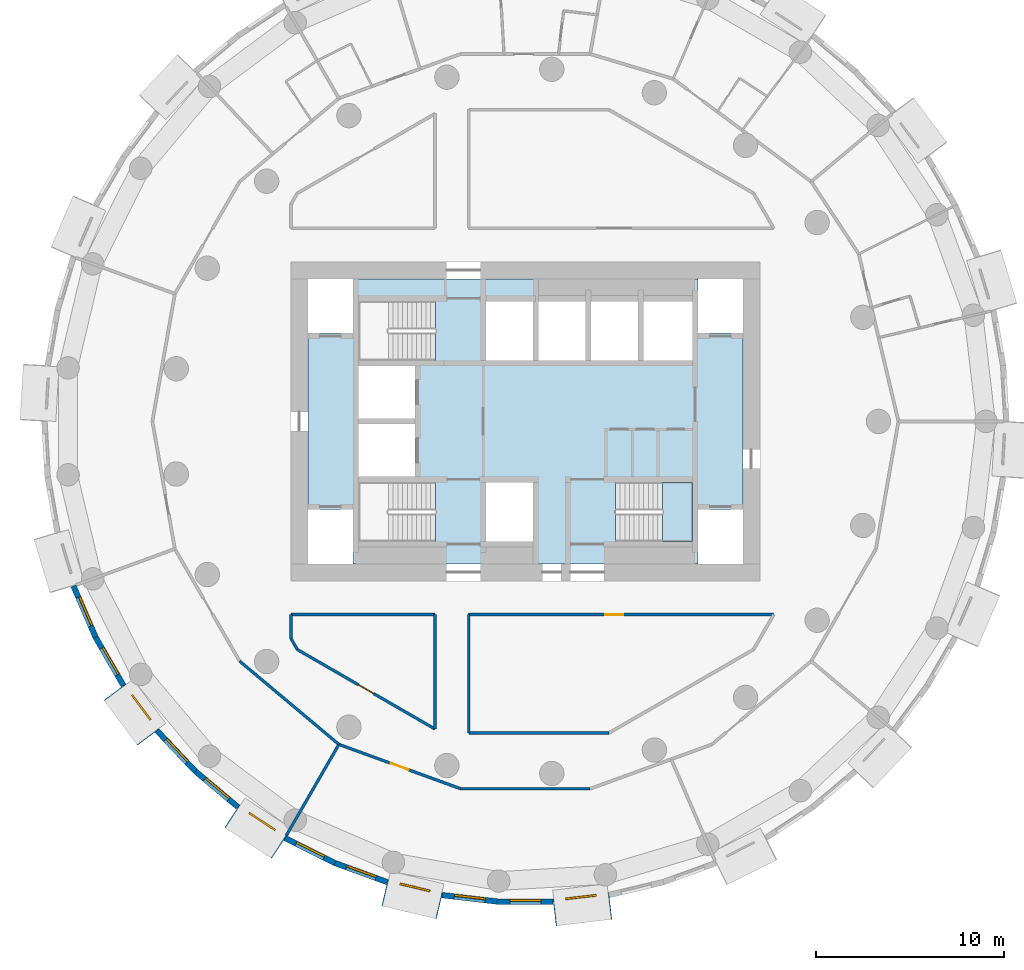
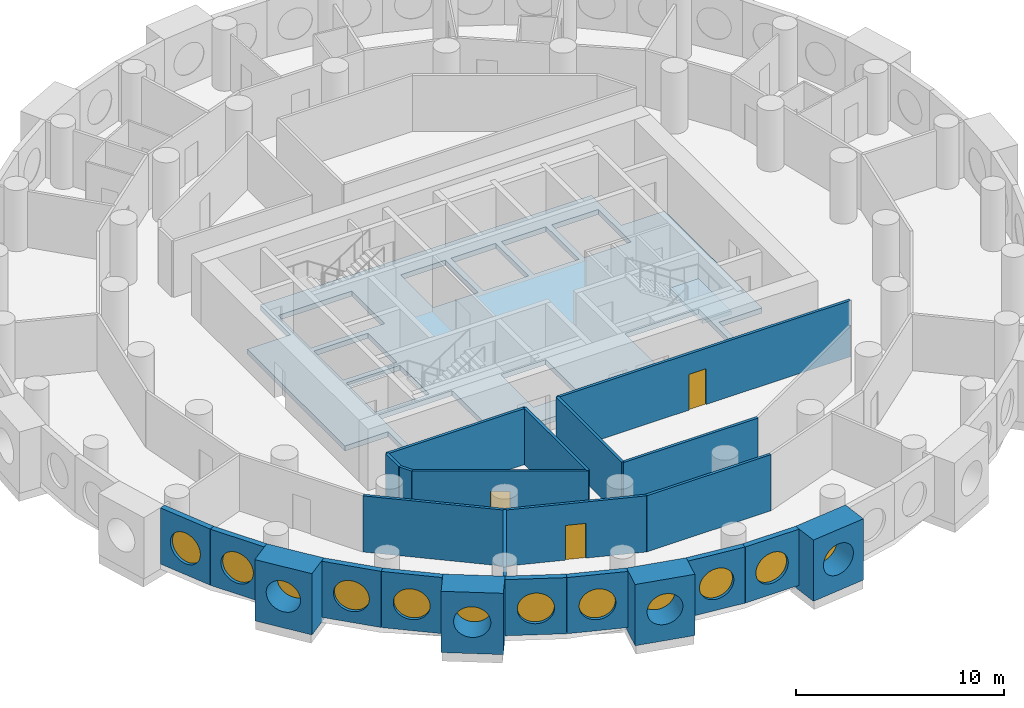
# One storey, part 2 of 9: 24 walls, 12 windows, 3 doors, 2 slabs, 15 openings, 1 element without a shape of its own.
"""IFC4 building model written with IfcOpenShell, lengths in metres."""

from ifc_helpers import new_model, si_unit, direction, frame, frame_2d, origin, origin_2d, place, context, subcontext, project, spatial, polyline, rectangle, circle, outline, extrude, material, layer, layer_set, type_object, element, fill, aggregate, save


model = new_model("IFC4")

# Units and contexts
model_context = context("Model", 3, precision=1e-05, world=origin(), true_north=direction((0.0, 1.0)))
body_context = subcontext(model_context, "Body", "Model", "MODEL_VIEW")
ifc_project = project(units=[si_unit("LENGTHUNIT", "METRE"), si_unit("AREAUNIT", "SQUARE_METRE"), si_unit("VOLUMEUNIT", "CUBIC_METRE"), si_unit("PLANEANGLEUNIT", "RADIAN"), si_unit("MASSUNIT", "GRAM", prefix="KILO")], contexts=[model_context])

# Site, building, storey
site_placement = place(None, origin())
site = spatial("IfcSite", under=ifc_project, at=site_placement, CompositionType="ELEMENT")
building_placement = place(site_placement, origin())
building = spatial("IfcBuilding", under=site, at=building_placement, Name="Tracery Tower", CompositionType="ELEMENT")
storey_placement = place(building_placement, frame((0.0, 0.0, 176.39990234375)))
storey = spatial("IfcBuildingStorey", under=building, at=storey_placement, Name="L45", CompositionType="ELEMENT", Elevation=176.39990234375)

# Slab
ifc_material_1 = material(Name="Concrete C50/60", Category="concrete")
ifc_layer_1 = layer(ifc_material_1, 0.300048828125)
ifc_layer_set_1 = layer_set([ifc_layer_1], Name="Core floor slab 300 C50")
slab_type_1 = type_object("IfcSlabType", Name="Core floor slab 300 C50", PredefinedType="FLOOR", material=ifc_layer_set_1)
slab_1_placement = place(storey_placement, frame((0.0, 0.0, -0.2998046875)))
element("IfcSlab", 1, at=slab_1_placement, inside=storey, type_object=slab_type_1, Name="L45 core floor 1", PredefinedType="FLOOR", context=body_context, shape_type="SweptSolid", body=[
    extrude(outline(polyline([(-9.199951171875, 7.60009765625), (9.199951171875, 7.60009765625), (9.199951171875, 4.699951171875), (11.60009765625, 4.699951171875), (11.60009765625, -4.699951171875), (9.199951171875, -4.699951171875), (9.199951171875, -7.60009765625), (-9.199951171875, -7.60009765625), (-9.199951171875, -4.699951171875), (-11.60009765625, -4.699951171875), (-11.60009765625, 4.699951171875), (-9.199951171875, 4.699951171875), (-9.199951171875, 7.60009765625)]), holes=[polyline([(4.800537109375, -6.39990234375), (8.89990234375, -6.39990234375), (8.89990234375, -3.25), (4.800537109375, -3.25), (4.800537109375, -6.39990234375)]), polyline([(8.89990234375, 3.25), (8.89990234375, 6.39990234375), (6.300048828125, 6.39990234375), (6.300048828125, 3.25), (8.89990234375, 3.25)]), polyline([(6.0, 3.25), (6.0, 6.39990234375), (3.5, 6.39990234375), (3.5, 3.25), (6.0, 3.25)]), polyline([(3.199951171875, 3.25), (3.199951171875, 6.39990234375), (0.699951171875, 6.39990234375), (0.699951171875, 3.25), (3.199951171875, 3.25)]), polyline([(-2.10009765625, 3.25), (0.39990234375, 3.25), (0.39990234375, 6.39990234375), (-2.10009765625, 6.39990234375), (-2.10009765625, 3.25)]), polyline([(0.39990234375, -6.39990234375), (0.39990234375, -3.25), (-2.10009765625, -3.25), (-2.10009765625, -6.39990234375), (0.39990234375, -6.39990234375)]), polyline([(-4.800537109375, -3.25), (-8.89990234375, -3.25), (-8.89990234375, -6.39990234375), (-4.800537109375, -6.39990234375), (-4.800537109375, -3.25)]), polyline([(-4.800537109375, 6.39990234375), (-8.89990234375, 6.39990234375), (-8.89990234375, 3.25), (-4.800537109375, 3.25), (-4.800537109375, 6.39990234375)]), polyline([(-5.89990234375, -2.949951171875), (-5.89990234375, -0.14990234375), (-8.89990234375, -0.14990234375), (-8.89990234375, -2.949951171875), (-5.89990234375, -2.949951171875)]), polyline([(-5.89990234375, 0.14990234375), (-5.89990234375, 2.949951171875), (-8.89990234375, 2.949951171875), (-8.89990234375, 0.14990234375), (-5.89990234375, 0.14990234375)])]), origin(), (0.0, 0.0, 1.0), 0.2998046875),
])

# Stair, slab
ifc_material_2 = material(Name="Concrete C32/40", Category="concrete")
stair_type = type_object("IfcStairType", Name="Core stair 22 risers", PredefinedType="HALF_TURN_STAIR", material=ifc_material_2)
stair_placement = place(storey_placement, origin())
stair = element("IfcStair", 2, at=stair_placement, inside=storey, type_object=stair_type, Name="L45 stair ST2", PredefinedType="HALF_TURN_STAIR")
ifc_material_3 = material(Name="Concrete C32/40", Category="concrete")
ifc_layer_2 = layer(ifc_material_3, 0.199951171875)
ifc_layer_set_2 = layer_set([ifc_layer_2], Name="Stair landing slab 200")
slab_type_2 = type_object("IfcSlabType", Name="Stair landing slab 200", PredefinedType="LANDING", material=ifc_layer_set_2)
slab_2_placement = place(storey_placement, frame((0.0, 0.0, 1.60009765625)))
slab_2 = element("IfcSlab", 3, at=slab_2_placement, type_object=slab_type_2, Name="ST2 landing 1", PredefinedType="LANDING", context=body_context, shape_type="SweptSolid", body=[
    extrude(outline(polyline([(7.29931640625, -6.39990234375), (8.89990234375, -6.39990234375), (8.89990234375, -3.25), (7.29931640625, -3.25), (7.29931640625, -6.39990234375)])), origin(), (0.0, 0.0, 1.0), 0.199951171875),
])
aggregate(stair, [slab_2])

# Wall, opening, window
ifc_material_4 = material(Name="Precast concrete C50/60", Category="concrete")
ifc_layer_3 = layer(ifc_material_4, 1.449951171875)
ifc_layer_set_3 = layer_set([ifc_layer_3], Name="Deep-set bay unit 3000 x 3600, slab edge 300")
wall_type_1 = type_object("IfcWallType", Name="Deep-set bay unit 3000 x 3600, slab edge 300", PredefinedType="ELEMENTEDWALL", material=ifc_layer_set_3)
wall_1_placement = place(storey_placement, frame((-21.89453125, -14.429931640625, -0.2998046875), z_axis=(0.0, 0.0, 1.0), x_axis=(0.597183717734, -0.802104486506, 0.0)))
wall_1 = element("IfcWall", 4, at=wall_1_placement, inside=storey, type_object=wall_type_1, Name="Deep-set bay unit 33 at L45", PredefinedType="ELEMENTEDWALL", context=body_context, shape_type="SweptSolid", body=[
    extrude(rectangle(XDim=3.0, YDim=1.449951171875, at=frame_2d((1.5, 0.0))), origin(), (0.0, 0.0, 1.0), 3.599853515625),
])
opening_1_placement = place(wall_1_placement, frame((1.5, 0.0, 1.85009765625)))
opening_1 = element("IfcOpeningElement", 5, at=opening_1_placement, cuts=wall_1, Name="Opening WN1", PredefinedType="OPENING", context=body_context, shape_type="SweptSolid", body=[
    extrude(circle(Radius=0.9000244140625, at=origin_2d()), frame((0.0, 0.73486328125, 0.0), z_axis=(0.0, -1.0, 0.0), x_axis=(1.0, 0.0, 0.0)), (0.0, 0.0, 1.0), 1.469970703125),
])
ifc_material_5 = material(Name="Aluminium frame with tinted double glazing", Category="aluminium")
window_type = type_object("IfcWindowType", Name="Round window 1800", PartitioningType="SINGLE_PANEL", PredefinedType="WINDOW", material=ifc_material_5)
window_1_placement = place(opening_1_placement, origin())
window_1 = element("IfcWindow", 6, at=window_1_placement, inside=storey, type_object=window_type, Name="Round window 33 at L45", OverallHeight=1.800048828125, OverallWidth=1.800048828125, PartitioningType="SINGLE_PANEL", PredefinedType="WINDOW", context=body_context, shape_type="SweptSolid", body=[
    extrude(circle(Radius=0.9000244140625, at=origin_2d()), frame((0.0, 0.69482421875, 0.0), z_axis=(0.0, -1.0, 0.0), x_axis=(1.0, 0.0, 0.0)), (0.0, 0.0, 1.0), 0.10009765625),
])
fill(opening_1, window_1)

wall_2_placement = place(storey_placement, frame((-15.638916015625, -21.048095703125, -0.2998046875), z_axis=(0.0, 0.0, 1.0), x_axis=(0.835514416706, -0.549468524554, 0.0)))
wall_2 = element("IfcWall", 7, at=wall_2_placement, inside=storey, type_object=wall_type_1, Name="Deep-set bay unit 36 at L45", PredefinedType="ELEMENTEDWALL", context=body_context, shape_type="SweptSolid", body=[
    extrude(rectangle(XDim=3.0, YDim=1.449951171875, at=frame_2d((1.5, 0.0))), origin(), (0.0, 0.0, 1.0), 3.599853515625),
])
opening_2_placement = place(wall_2_placement, frame((1.5, 0.0, 1.85009765625)))
opening_2 = element("IfcOpeningElement", 8, at=opening_2_placement, cuts=wall_2, Name="Opening WN1", PredefinedType="OPENING", context=body_context, shape_type="SweptSolid", body=[
    extrude(circle(Radius=0.9000244140625, at=origin_2d()), frame((0.0, 0.73486328125, 0.0), z_axis=(0.0, -1.0, 0.0), x_axis=(1.0, 0.0, 0.0)), (0.0, 0.0, 1.0), 1.469970703125),
])
window_2_placement = place(opening_2_placement, origin())
window_2 = element("IfcWindow", 9, at=window_2_placement, inside=storey, type_object=window_type, Name="Round window 36 at L45", OverallHeight=1.800048828125, OverallWidth=1.800048828125, PartitioningType="SINGLE_PANEL", PredefinedType="WINDOW", context=body_context, shape_type="SweptSolid", body=[
    extrude(circle(Radius=0.9000244140625, at=origin_2d()), frame((0.0, 0.69482421875, 0.0), z_axis=(0.0, -1.0, 0.0), x_axis=(1.0, 0.0, 0.0)), (0.0, 0.0, 1.0), 0.10009765625),
])
fill(opening_2, window_2)

wall_3_placement = place(storey_placement, frame((-7.496826171875, -25.12744140625, -0.2998046875), z_axis=(0.0, 0.0, 1.0), x_axis=(0.973042333261, -0.23062657627, 0.0)))
wall_3 = element("IfcWall", 10, at=wall_3_placement, inside=storey, type_object=wall_type_1, Name="Deep-set bay unit 39 at L45", PredefinedType="ELEMENTEDWALL", context=body_context, shape_type="SweptSolid", body=[
    extrude(rectangle(XDim=3.0, YDim=1.449951171875, at=frame_2d((1.5, 0.0))), origin(), (0.0, 0.0, 1.0), 3.599853515625),
])
opening_3_placement = place(wall_3_placement, frame((1.5, 0.0, 1.85009765625)))
opening_3 = element("IfcOpeningElement", 11, at=opening_3_placement, cuts=wall_3, Name="Opening WN1", PredefinedType="OPENING", context=body_context, shape_type="SweptSolid", body=[
    extrude(circle(Radius=0.9000244140625, at=origin_2d()), frame((0.0, 0.73486328125, 0.0), z_axis=(0.0, -1.0, 0.0), x_axis=(1.0, 0.0, 0.0)), (0.0, 0.0, 1.0), 1.469970703125),
])
window_3_placement = place(opening_3_placement, origin())
window_3 = element("IfcWindow", 12, at=window_3_placement, inside=storey, type_object=window_type, Name="Round window 39 at L45", OverallHeight=1.800048828125, OverallWidth=1.800048828125, PartitioningType="SINGLE_PANEL", PredefinedType="WINDOW", context=body_context, shape_type="SweptSolid", body=[
    extrude(circle(Radius=0.9000244140625, at=origin_2d()), frame((0.0, 0.69482421875, 0.0), z_axis=(0.0, -1.0, 0.0), x_axis=(1.0, 0.0, 0.0)), (0.0, 0.0, 1.0), 0.10009765625),
])
fill(opening_3, window_3)

wall_4_placement = place(storey_placement, frame((1.54931640625, -26.17626953125, -0.2998046875), z_axis=(0.0, 0.0, 1.0), x_axis=(0.9932342274, 0.116128246006, 0.0)))
wall_4 = element("IfcWall", 13, at=wall_4_placement, inside=storey, type_object=wall_type_1, Name="Deep-set bay unit 42 at L45", PredefinedType="ELEMENTEDWALL", context=body_context, shape_type="SweptSolid", body=[
    extrude(rectangle(XDim=3.0, YDim=1.449951171875, at=frame_2d((1.5, 0.0))), origin(), (0.0, 0.0, 1.0), 3.599853515625),
])
opening_4_placement = place(wall_4_placement, frame((1.5, 0.0, 1.85009765625)))
opening_4 = element("IfcOpeningElement", 14, at=opening_4_placement, cuts=wall_4, Name="Opening WN1", PredefinedType="OPENING", context=body_context, shape_type="SweptSolid", body=[
    extrude(circle(Radius=0.9000244140625, at=origin_2d()), frame((0.0, 0.73486328125, 0.0), z_axis=(0.0, -1.0, 0.0), x_axis=(1.0, 0.0, 0.0)), (0.0, 0.0, 1.0), 1.469970703125),
])
window_4_placement = place(opening_4_placement, origin())
window_4 = element("IfcWindow", 15, at=window_4_placement, inside=storey, type_object=window_type, Name="Round window 42 at L45", OverallHeight=1.800048828125, OverallWidth=1.800048828125, PartitioningType="SINGLE_PANEL", PredefinedType="WINDOW", context=body_context, shape_type="SweptSolid", body=[
    extrude(circle(Radius=0.9000244140625, at=origin_2d()), frame((0.0, 0.69482421875, 0.0), z_axis=(0.0, -1.0, 0.0), x_axis=(1.0, 0.0, 0.0)), (0.0, 0.0, 1.0), 0.10009765625),
])
fill(opening_4, window_4)

ifc_material_6 = material(Name="Precast concrete C50/60", Category="concrete")
ifc_layer_4 = layer(ifc_material_6, 0.300048828125)
ifc_layer_set_4 = layer_set([ifc_layer_4], Name="Facade panel 3000 x 3300")
wall_type_2 = type_object("IfcWallType", Name="Facade panel 3000 x 3300", PredefinedType="SOLIDWALL", material=ifc_layer_set_4)
wall_5_placement = place(storey_placement, frame((-24.096923828125, -8.78076171875, 0.0), z_axis=(0.0, 0.0, 1.0), x_axis=(0.396078892785, -0.918216483565, 0.0)))
wall_5 = element("IfcWall", 16, at=wall_5_placement, inside=storey, type_object=wall_type_2, Name="Facade panel 31 at L45", PredefinedType="SOLIDWALL", context=body_context, shape_type="SweptSolid", body=[
    extrude(rectangle(XDim=2.972900390625, YDim=0.300048828125, at=frame_2d((1.486328125, 0.0))), origin(), (0.0, 0.0, 1.0), 3.300048828125),
])
opening_5_placement = place(wall_5_placement, frame((1.486328125, 0.0, 1.5498046875)))
opening_5 = element("IfcOpeningElement", 17, at=opening_5_placement, cuts=wall_5, Name="Opening WN1", PredefinedType="OPENING", context=body_context, shape_type="SweptSolid", body=[
    extrude(circle(Radius=0.9000244140625, at=origin_2d()), frame((0.0, 0.159912109375, 0.0), z_axis=(0.0, -1.0, 0.0), x_axis=(1.0, 0.0, 0.0)), (0.0, 0.0, 1.0), 0.320068359375),
])
window_5_placement = place(opening_5_placement, origin())
window_5 = element("IfcWindow", 18, at=window_5_placement, inside=storey, type_object=window_type, Name="Round window 31 at L45", OverallHeight=1.800048828125, OverallWidth=1.800048828125, PartitioningType="SINGLE_PANEL", PredefinedType="WINDOW", context=body_context, shape_type="SweptSolid", body=[
    extrude(circle(Radius=0.9000244140625, at=origin_2d()), frame((0.0, 0.1201171875, 0.0), z_axis=(0.0, -1.0, 0.0), x_axis=(1.0, 0.0, 0.0)), (0.0, 0.0, 1.0), 0.10009765625),
])
fill(opening_5, window_5)

wall_6_placement = place(storey_placement, frame((-22.91943359375, -11.510498046875, 0.0), z_axis=(0.0, 0.0, 1.0), x_axis=(0.500016263033, -0.866016014115, 0.0)))
wall_6 = element("IfcWall", 19, at=wall_6_placement, inside=storey, type_object=wall_type_2, Name="Facade panel 32 at L45", PredefinedType="SOLIDWALL", context=body_context, shape_type="SweptSolid", body=[
    extrude(rectangle(XDim=2.97314453125, YDim=0.300048828125, at=frame_2d((1.486572265625, 0.0))), origin(), (0.0, 0.0, 1.0), 3.300048828125),
])
opening_6_placement = place(wall_6_placement, frame((1.486328125, 0.0, 1.5498046875)))
opening_6 = element("IfcOpeningElement", 20, at=opening_6_placement, cuts=wall_6, Name="Opening WN1", PredefinedType="OPENING", context=body_context, shape_type="SweptSolid", body=[
    extrude(circle(Radius=0.9000244140625, at=origin_2d()), frame((0.0, 0.159912109375, 0.0), z_axis=(0.0, -1.0, 0.0), x_axis=(1.0, 0.0, 0.0)), (0.0, 0.0, 1.0), 0.320068359375),
])
window_6_placement = place(opening_6_placement, origin())
window_6 = element("IfcWindow", 21, at=window_6_placement, inside=storey, type_object=window_type, Name="Round window 32 at L45", OverallHeight=1.800048828125, OverallWidth=1.800048828125, PartitioningType="SINGLE_PANEL", PredefinedType="WINDOW", context=body_context, shape_type="SweptSolid", body=[
    extrude(circle(Radius=0.9000244140625, at=origin_2d()), frame((0.0, 0.1201171875, 0.0), z_axis=(0.0, -1.0, 0.0), x_axis=(1.0, 0.0, 0.0)), (0.0, 0.0, 1.0), 0.10009765625),
])
fill(opening_6, window_6)

wall_7_placement = place(storey_placement, frame((-19.640380859375, -16.492919921875, 0.0), z_axis=(0.0, 0.0, 1.0), x_axis=(0.686235184166, -0.727379730273, 0.0)))
wall_7 = element("IfcWall", 22, at=wall_7_placement, inside=storey, type_object=wall_type_2, Name="Facade panel 34 at L45", PredefinedType="SOLIDWALL", context=body_context, shape_type="SweptSolid", body=[
    extrude(rectangle(XDim=2.972900390625, YDim=0.300048828125, at=frame_2d((1.486328125, 0.0))), origin(), (0.0, 0.0, 1.0), 3.300048828125),
])
opening_7_placement = place(wall_7_placement, frame((1.486328125, 0.0, 1.5498046875)))
opening_7 = element("IfcOpeningElement", 23, at=opening_7_placement, cuts=wall_7, Name="Opening WN1", PredefinedType="OPENING", context=body_context, shape_type="SweptSolid", body=[
    extrude(circle(Radius=0.9000244140625, at=origin_2d()), frame((0.0, 0.159912109375, 0.0), z_axis=(0.0, -1.0, 0.0), x_axis=(1.0, 0.0, 0.0)), (0.0, 0.0, 1.0), 0.320068359375),
])
window_7_placement = place(opening_7_placement, origin())
window_7 = element("IfcWindow", 24, at=window_7_placement, inside=storey, type_object=window_type, Name="Round window 34 at L45", OverallHeight=1.800048828125, OverallWidth=1.800048828125, PartitioningType="SINGLE_PANEL", PredefinedType="WINDOW", context=body_context, shape_type="SweptSolid", body=[
    extrude(circle(Radius=0.9000244140625, at=origin_2d()), frame((0.0, 0.1201171875, 0.0), z_axis=(0.0, -1.0, 0.0), x_axis=(1.0, 0.0, 0.0)), (0.0, 0.0, 1.0), 0.10009765625),
])
fill(opening_7, window_7)

wall_8_placement = place(storey_placement, frame((-17.600341796875, -18.6552734375, 0.0), z_axis=(0.0, 0.0, 1.0), x_axis=(0.766049350637, -0.642781761089, 0.0)))
wall_8 = element("IfcWall", 25, at=wall_8_placement, inside=storey, type_object=wall_type_2, Name="Facade panel 35 at L45", PredefinedType="SOLIDWALL", context=body_context, shape_type="SweptSolid", body=[
    extrude(rectangle(XDim=2.972900390625, YDim=0.300048828125, at=frame_2d((1.486328125, 0.0))), origin(), (0.0, 0.0, 1.0), 3.300048828125),
])
opening_8_placement = place(wall_8_placement, frame((1.486328125, 0.0, 1.5498046875)))
opening_8 = element("IfcOpeningElement", 26, at=opening_8_placement, cuts=wall_8, Name="Opening WN1", PredefinedType="OPENING", context=body_context, shape_type="SweptSolid", body=[
    extrude(circle(Radius=0.9000244140625, at=origin_2d()), frame((0.0, 0.159912109375, 0.0), z_axis=(0.0, -1.0, 0.0), x_axis=(1.0, 0.0, 0.0)), (0.0, 0.0, 1.0), 0.320068359375),
])
window_8_placement = place(opening_8_placement, origin())
window_8 = element("IfcWindow", 27, at=window_8_placement, inside=storey, type_object=window_type, Name="Round window 35 at L45", OverallHeight=1.800048828125, OverallWidth=1.800048828125, PartitioningType="SINGLE_PANEL", PredefinedType="WINDOW", context=body_context, shape_type="SweptSolid", body=[
    extrude(circle(Radius=0.9000244140625, at=origin_2d()), frame((0.0, 0.1201171875, 0.0), z_axis=(0.0, -1.0, 0.0), x_axis=(1.0, 0.0, 0.0)), (0.0, 0.0, 1.0), 0.10009765625),
])
fill(opening_8, window_8)

wall_9_placement = place(storey_placement, frame((-12.815185546875, -22.215576171875, 0.0), z_axis=(0.0, 0.0, 1.0), x_axis=(0.893637442555, -0.448789618045, 0.0)))
wall_9 = element("IfcWall", 28, at=wall_9_placement, inside=storey, type_object=wall_type_2, Name="Facade panel 37 at L45", PredefinedType="SOLIDWALL", context=body_context, shape_type="SweptSolid", body=[
    extrude(rectangle(XDim=2.972900390625, YDim=0.300048828125, at=frame_2d((1.486328125, 0.0))), origin(), (0.0, 0.0, 1.0), 3.300048828125),
])
opening_9_placement = place(wall_9_placement, frame((1.486328125, 0.0, 1.5498046875)))
opening_9 = element("IfcOpeningElement", 29, at=opening_9_placement, cuts=wall_9, Name="Opening WN1", PredefinedType="OPENING", context=body_context, shape_type="SweptSolid", body=[
    extrude(circle(Radius=0.9000244140625, at=origin_2d()), frame((0.0, 0.159912109375, 0.0), z_axis=(0.0, -1.0, 0.0), x_axis=(1.0, 0.0, 0.0)), (0.0, 0.0, 1.0), 0.320068359375),
])
window_9_placement = place(opening_9_placement, origin())
window_9 = element("IfcWindow", 30, at=window_9_placement, inside=storey, type_object=window_type, Name="Round window 37 at L45", OverallHeight=1.800048828125, OverallWidth=1.800048828125, PartitioningType="SINGLE_PANEL", PredefinedType="WINDOW", context=body_context, shape_type="SweptSolid", body=[
    extrude(circle(Radius=0.9000244140625, at=origin_2d()), frame((0.0, 0.1201171875, 0.0), z_axis=(0.0, -1.0, 0.0), x_axis=(1.0, 0.0, 0.0)), (0.0, 0.0, 1.0), 0.10009765625),
])
fill(opening_9, window_9)

wall_10_placement = place(storey_placement, frame((-10.158447265625, -23.5498046875, 0.0), z_axis=(0.0, 0.0, 1.0), x_axis=(0.939690282133, -0.342026568652, 0.0)))
wall_10 = element("IfcWall", 31, at=wall_10_placement, inside=storey, type_object=wall_type_2, Name="Facade panel 38 at L45", PredefinedType="SOLIDWALL", context=body_context, shape_type="SweptSolid", body=[
    extrude(rectangle(XDim=2.972900390625, YDim=0.300048828125, at=frame_2d((1.486328125, 0.0))), origin(), (0.0, 0.0, 1.0), 3.300048828125),
])
opening_10_placement = place(wall_10_placement, frame((1.486328125, 0.0, 1.5498046875)))
opening_10 = element("IfcOpeningElement", 32, at=opening_10_placement, cuts=wall_10, Name="Opening WN1", PredefinedType="OPENING", context=body_context, shape_type="SweptSolid", body=[
    extrude(circle(Radius=0.9000244140625, at=origin_2d()), frame((0.0, 0.159912109375, 0.0), z_axis=(0.0, -1.0, 0.0), x_axis=(1.0, 0.0, 0.0)), (0.0, 0.0, 1.0), 0.320068359375),
])
window_10_placement = place(opening_10_placement, origin())
window_10 = element("IfcWindow", 33, at=window_10_placement, inside=storey, type_object=window_type, Name="Round window 38 at L45", OverallHeight=1.800048828125, OverallWidth=1.800048828125, PartitioningType="SINGLE_PANEL", PredefinedType="WINDOW", context=body_context, shape_type="SweptSolid", body=[
    extrude(circle(Radius=0.9000244140625, at=origin_2d()), frame((0.0, 0.1201171875, 0.0), z_axis=(0.0, -1.0, 0.0), x_axis=(1.0, 0.0, 0.0)), (0.0, 0.0, 1.0), 0.10009765625),
])
fill(opening_10, window_10)

wall_11_placement = place(storey_placement, frame((-4.444091796875, -25.259033203125, 0.0), z_axis=(0.0, 0.0, 1.0), x_axis=(0.993245010522, -0.1160359818, 0.0)))
wall_11 = element("IfcWall", 34, at=wall_11_placement, inside=storey, type_object=wall_type_2, Name="Facade panel 40 at L45", PredefinedType="SOLIDWALL", context=body_context, shape_type="SweptSolid", body=[
    extrude(rectangle(XDim=2.972900390625, YDim=0.300048828125, at=frame_2d((1.486328125, 0.0))), origin(), (0.0, 0.0, 1.0), 3.300048828125),
])
opening_11_placement = place(wall_11_placement, frame((1.486328125, 0.0, 1.5498046875)))
opening_11 = element("IfcOpeningElement", 35, at=opening_11_placement, cuts=wall_11, Name="Opening WN1", PredefinedType="OPENING", context=body_context, shape_type="SweptSolid", body=[
    extrude(circle(Radius=0.9000244140625, at=origin_2d()), frame((0.0, 0.159912109375, 0.0), z_axis=(0.0, -1.0, 0.0), x_axis=(1.0, 0.0, 0.0)), (0.0, 0.0, 1.0), 0.320068359375),
])
window_11_placement = place(opening_11_placement, origin())
window_11 = element("IfcWindow", 36, at=window_11_placement, inside=storey, type_object=window_type, Name="Round window 40 at L45", OverallHeight=1.800048828125, OverallWidth=1.800048828125, PartitioningType="SINGLE_PANEL", PredefinedType="WINDOW", context=body_context, shape_type="SweptSolid", body=[
    extrude(circle(Radius=0.9000244140625, at=origin_2d()), frame((0.0, 0.1201171875, 0.0), z_axis=(0.0, -1.0, 0.0), x_axis=(1.0, 0.0, 0.0)), (0.0, 0.0, 1.0), 0.10009765625),
])
fill(opening_11, window_11)

wall_12_placement = place(storey_placement, frame((-1.4912109375, -25.60400390625, 0.0), z_axis=(0.0, 0.0, 1.0), x_axis=(1.0, 0.0, 0.0)))
wall_12 = element("IfcWall", 37, at=wall_12_placement, inside=storey, type_object=wall_type_2, Name="Facade panel 41 at L45", PredefinedType="SOLIDWALL", context=body_context, shape_type="SweptSolid", body=[
    extrude(rectangle(XDim=2.972900390625, YDim=0.300048828125, at=frame_2d((1.486328125, 0.0))), origin(), (0.0, 0.0, 1.0), 3.300048828125),
])
opening_12_placement = place(wall_12_placement, frame((1.486328125, 0.0, 1.5498046875)))
opening_12 = element("IfcOpeningElement", 38, at=opening_12_placement, cuts=wall_12, Name="Opening WN1", PredefinedType="OPENING", context=body_context, shape_type="SweptSolid", body=[
    extrude(circle(Radius=0.9000244140625, at=origin_2d()), frame((0.0, 0.159912109375, 0.0), z_axis=(0.0, -1.0, 0.0), x_axis=(1.0, 0.0, 0.0)), (0.0, 0.0, 1.0), 0.320068359375),
])
window_12_placement = place(opening_12_placement, origin())
window_12 = element("IfcWindow", 39, at=window_12_placement, inside=storey, type_object=window_type, Name="Round window 41 at L45", OverallHeight=1.800048828125, OverallWidth=1.800048828125, PartitioningType="SINGLE_PANEL", PredefinedType="WINDOW", context=body_context, shape_type="SweptSolid", body=[
    extrude(circle(Radius=0.9000244140625, at=origin_2d()), frame((0.0, 0.1201171875, 0.0), z_axis=(0.0, -1.0, 0.0), x_axis=(1.0, 0.0, 0.0)), (0.0, 0.0, 1.0), 0.10009765625),
])
fill(opening_12, window_12)

# Walls
ifc_material_7 = material(Name="Plasterboard on steel studs", Category="steel")
ifc_layer_5 = layer(ifc_material_7, 0.14990234375)
ifc_layer_set_5 = layer_set([ifc_layer_5], Name="Partition 150 acoustic unit wall")
wall_type_3 = type_object("IfcWallType", Name="Partition 150 acoustic unit wall", PredefinedType="PARTITIONING", material=ifc_layer_set_5)
wall_13_placement = place(storey_placement, frame((-12.7490234375, -22.0810546875, 0.0), z_axis=(0.0, 0.0, 1.0), x_axis=(0.500010020406, 0.866019618423, 0.0)))
element("IfcWall", 40, at=wall_13_placement, inside=storey, type_object=wall_type_3, Name="Unit wall RB5-064", PredefinedType="PARTITIONING", context=body_context, shape_type="SweptSolid", body=[
    extrude(rectangle(XDim=5.60986328125, YDim=0.14990234375, at=frame_2d((2.804931640625, 0.0))), origin(), (0.0, 0.0, 1.0), 3.300048828125),
])
ifc_material_8 = material(Name="Plasterboard on steel studs", Category="steel")
ifc_layer_6 = layer(ifc_material_8, 0.14990234375)
ifc_layer_set_6 = layer_set([ifc_layer_6], Name="Partition 150 corridor wall")
wall_type_4 = type_object("IfcWallType", Name="Partition 150 corridor wall", PredefinedType="PARTITIONING", material=ifc_layer_set_6)
wall_14_placement = place(storey_placement, frame((-12.50390625, -10.300048828125, 0.0), z_axis=(0.0, 0.0, 1.0), x_axis=(1.0, 0.0, 0.0)))
element("IfcWall", 41, at=wall_14_placement, inside=storey, type_object=wall_type_4, Name="Corridor wall RB5-003", PredefinedType="PARTITIONING", context=body_context, shape_type="SweptSolid", body=[
    extrude(rectangle(XDim=7.68701171875, YDim=0.14990234375, at=frame_2d((3.843505859375, 0.0))), origin(), (0.0, 0.0, 1.0), 3.300048828125),
])

# Wall, opening, door
wall_15_placement = place(storey_placement, frame((-3.02490234375, -10.300048828125, 0.0), z_axis=(0.0, 0.0, 1.0), x_axis=(1.0, 0.0, 0.0)))
wall_15 = element("IfcWall", 42, at=wall_15_placement, inside=storey, type_object=wall_type_4, Name="Corridor wall RB5-004", PredefinedType="PARTITIONING", context=body_context, shape_type="SweptSolid", body=[
    extrude(rectangle(XDim=16.261962890625, YDim=0.14990234375, at=frame_2d((8.130859375, 0.0))), origin(), (0.0, 0.0, 1.0), 3.300048828125),
])
opening_13_placement = place(wall_15_placement, frame((7.287109375, 0.0, 0.0)))
opening_13 = element("IfcOpeningElement", 43, at=opening_13_placement, cuts=wall_15, Name="Opening RB5-04", PredefinedType="OPENING", context=body_context, shape_type="SweptSolid", body=[
    extrude(rectangle(XDim=0.949951171875, YDim=2.10009765625, at=frame_2d((0.47509765625, 1.050048828125))), frame((0.0, 0.074951171875, 0.0), z_axis=(0.0, -1.0, 0.0), x_axis=(1.0, 0.0, 0.0)), (0.0, 0.0, 1.0), 0.14990234375),
])
ifc_material_9 = material(Name="Timber door leaf", Category="wood")
door_type_1 = type_object("IfcDoorType", Name="Door store 950", OperationType="NOTDEFINED", PredefinedType="DOOR", material=ifc_material_9)
door_1_placement = place(opening_13_placement, origin())
door_1 = element("IfcDoor", 44, at=door_1_placement, inside=storey, type_object=door_type_1, Name="Store door RB5-04", OperationType="SINGLE_SWING_RIGHT", OverallHeight=2.10009765625, OverallWidth=0.949951171875, PredefinedType="DOOR", context=body_context, shape_type="SweptSolid", body=[
    extrude(rectangle(XDim=0.949951171875, YDim=2.10009765625, at=frame_2d((0.47509765625, 1.050048828125))), frame((0.0, 0.02490234375, 0.0), z_axis=(0.0, -1.0, 0.0), x_axis=(1.0, 0.0, 0.0)), (0.0, 0.0, 1.0), 0.050048828125),
])
fill(opening_13, door_1)

# Walls
wall_16_placement = place(storey_placement, frame((-12.5, -11.576904296875, 0.0), z_axis=(0.0, 0.0, 1.0), x_axis=(0.0, 1.0, 0.0)))
element("IfcWall", 45, at=wall_16_placement, inside=storey, type_object=wall_type_4, Name="Corridor wall RB5-024", PredefinedType="PARTITIONING", context=body_context, shape_type="SweptSolid", body=[
    extrude(rectangle(XDim=1.27685546875, YDim=0.14990234375, at=frame_2d((0.638427734375, 0.0))), origin(), (0.0, 0.0, 1.0), 3.300048828125),
])
wall_17_placement = place(storey_placement, frame((-12.5, -11.576904296875, 0.0), z_axis=(0.0, 0.0, 1.0), x_axis=(0.500024767483, -0.866011103799, 0.0)))
element("IfcWall", 46, at=wall_17_placement, inside=storey, type_object=wall_type_4, Name="Corridor wall RB5-025", PredefinedType="PARTITIONING", context=body_context, shape_type="SweptSolid", body=[
    extrude(rectangle(XDim=0.67578125, YDim=0.14990234375, at=frame_2d((0.337890625, 0.0))), origin(), (0.0, 0.0, 1.0), 3.300048828125),
])
wall_18_placement = place(storey_placement, frame((-15.235107421875, -12.783935546875, 0.0), z_axis=(0.0, 0.0, 1.0), x_axis=(0.766192104565, -0.642611592567, 0.0)))
element("IfcWall", 47, at=wall_18_placement, inside=storey, type_object=wall_type_4, Name="Corridor wall RB5-029", PredefinedType="PARTITIONING", context=body_context, shape_type="SweptSolid", body=[
    extrude(rectangle(XDim=6.906494140625, YDim=0.14990234375, at=frame_2d((3.453125, 0.0))), origin(), (0.0, 0.0, 1.0), 3.300048828125),
])

# Wall, opening, door
wall_19_placement = place(storey_placement, frame((-12.162109375, -12.162109375, 0.0), z_axis=(0.0, 0.0, 1.0), x_axis=(0.866004766557, -0.500035743023, 0.0)))
wall_19 = element("IfcWall", 48, at=wall_19_placement, inside=storey, type_object=wall_type_4, Name="Corridor wall RB5-031", PredefinedType="PARTITIONING", context=body_context, shape_type="SweptSolid", body=[
    extrude(rectangle(XDim=8.47705078125, YDim=0.14990234375, at=frame_2d((4.238525390625, 0.0))), origin(), (0.0, 0.0, 1.0), 3.300048828125),
])
opening_14_placement = place(wall_19_placement, frame((3.762939453125, 0.0, 0.0)))
opening_14 = element("IfcOpeningElement", 49, at=opening_14_placement, cuts=wall_19, Name="Opening RB5-03", PredefinedType="OPENING", context=body_context, shape_type="SweptSolid", body=[
    extrude(rectangle(XDim=0.949951171875, YDim=2.10009765625, at=frame_2d((0.47509765625, 1.050048828125))), frame((0.0, 0.074951171875, 0.0), z_axis=(0.0, -1.0, 0.0), x_axis=(1.0, 0.0, 0.0)), (0.0, 0.0, 1.0), 0.14990234375),
])
door_2_placement = place(opening_14_placement, origin())
door_2 = element("IfcDoor", 50, at=door_2_placement, inside=storey, type_object=door_type_1, Name="Store door RB5-03", OperationType="SINGLE_SWING_LEFT", OverallHeight=2.10009765625, OverallWidth=0.949951171875, PredefinedType="DOOR", context=body_context, shape_type="SweptSolid", body=[
    extrude(rectangle(XDim=0.949951171875, YDim=2.10009765625, at=frame_2d((0.47509765625, 1.050048828125))), frame((0.0, 0.02490234375, 0.0), z_axis=(0.0, -1.0, 0.0), x_axis=(1.0, 0.0, 0.0)), (0.0, 0.0, 1.0), 0.050048828125),
])
fill(opening_14, door_2)

# Walls
wall_20_placement = place(storey_placement, frame((-4.821044921875, -16.40087890625, 0.0), z_axis=(0.0, 0.0, 1.0), x_axis=(0.0, 1.0, 0.0)))
element("IfcWall", 51, at=wall_20_placement, inside=storey, type_object=wall_type_4, Name="Corridor wall RB5-032", PredefinedType="PARTITIONING", context=body_context, shape_type="SweptSolid", body=[
    extrude(rectangle(XDim=6.100830078125, YDim=0.14990234375, at=frame_2d((3.05029296875, 0.0))), origin(), (0.0, 0.0, 1.0), 3.300048828125),
])
wall_21_placement = place(storey_placement, frame((-3.02099609375, -16.614013671875, 0.0), z_axis=(0.0, 0.0, 1.0), x_axis=(0.0, 1.0, 0.0)))
element("IfcWall", 52, at=wall_21_placement, inside=storey, type_object=wall_type_4, Name="Corridor wall RB5-033", PredefinedType="PARTITIONING", context=body_context, shape_type="SweptSolid", body=[
    extrude(rectangle(XDim=6.31396484375, YDim=0.14990234375, at=frame_2d((3.156982421875, 0.0))), origin(), (0.0, 0.0, 1.0), 3.300048828125),
])
wall_22_placement = place(storey_placement, frame((-3.02099609375, -16.614013671875, 0.0), z_axis=(0.0, 0.0, 1.0), x_axis=(1.0, 0.0, 0.0)))
element("IfcWall", 53, at=wall_22_placement, inside=storey, type_object=wall_type_4, Name="Corridor wall RB5-034", PredefinedType="PARTITIONING", context=body_context, shape_type="SweptSolid", body=[
    extrude(rectangle(XDim=7.472900390625, YDim=0.14990234375, at=frame_2d((3.736328125, 0.0))), origin(), (0.0, 0.0, 1.0), 3.300048828125),
])
wall_23_placement = place(storey_placement, frame((-3.452880859375, -19.5859375, 0.0), z_axis=(0.0, 0.0, 1.0), x_axis=(1.0, 0.0, 0.0)))
element("IfcWall", 54, at=wall_23_placement, inside=storey, type_object=wall_type_4, Name="Corridor wall RB5-037", PredefinedType="PARTITIONING", context=body_context, shape_type="SweptSolid", body=[
    extrude(rectangle(XDim=6.90576171875, YDim=0.14990234375, at=frame_2d((3.452880859375, 0.0))), origin(), (0.0, 0.0, 1.0), 3.300048828125),
])

# Wall, opening, door
wall_24_placement = place(storey_placement, frame((-9.944091796875, -17.222900390625, 0.0), z_axis=(0.0, 0.0, 1.0), x_axis=(0.939672634566, -0.342075050021, 0.0)))
wall_24 = element("IfcWall", 55, at=wall_24_placement, inside=storey, type_object=wall_type_4, Name="Corridor wall RB5-038", PredefinedType="PARTITIONING", context=body_context, shape_type="SweptSolid", body=[
    extrude(rectangle(XDim=6.907958984375, YDim=0.14990234375, at=frame_2d((3.4541015625, 0.0))), origin(), (0.0, 0.0, 1.0), 3.300048828125),
])
opening_15_placement = place(wall_24_placement, frame((2.95361328125, 0.0, 0.0)))
opening_15 = element("IfcOpeningElement", 56, at=opening_15_placement, cuts=wall_24, Name="Opening RB5-23", PredefinedType="OPENING", context=body_context, shape_type="SweptSolid", body=[
    extrude(rectangle(XDim=1.0, YDim=2.0400390625, at=frame_2d((0.5, 1.02001953125))), frame((0.0, 0.074951171875, 0.0), z_axis=(0.0, -1.0, 0.0), x_axis=(1.0, 0.0, 0.0)), (0.0, 0.0, 1.0), 0.14990234375),
])
ifc_material_10 = material(Name="Timber door leaf", Category="wood")
door_type_2 = type_object("IfcDoorType", Name="Door communal room 1000", OperationType="NOTDEFINED", PredefinedType="DOOR", material=ifc_material_10)
door_3_placement = place(opening_15_placement, origin())
door_3 = element("IfcDoor", 57, at=door_3_placement, inside=storey, type_object=door_type_2, Name="Communal room door RB5-23", OperationType="SINGLE_SWING_RIGHT", OverallHeight=2.0400390625, OverallWidth=1.0, PredefinedType="DOOR", context=body_context, shape_type="SweptSolid", body=[
    extrude(rectangle(XDim=1.0, YDim=2.0400390625, at=frame_2d((0.5, 1.02001953125))), frame((0.0, 0.02490234375, 0.0), z_axis=(0.0, -1.0, 0.0), x_axis=(1.0, 0.0, 0.0)), (0.0, 0.0, 1.0), 0.050048828125),
])
fill(opening_15, door_3)

save(model, "model.ifc")
